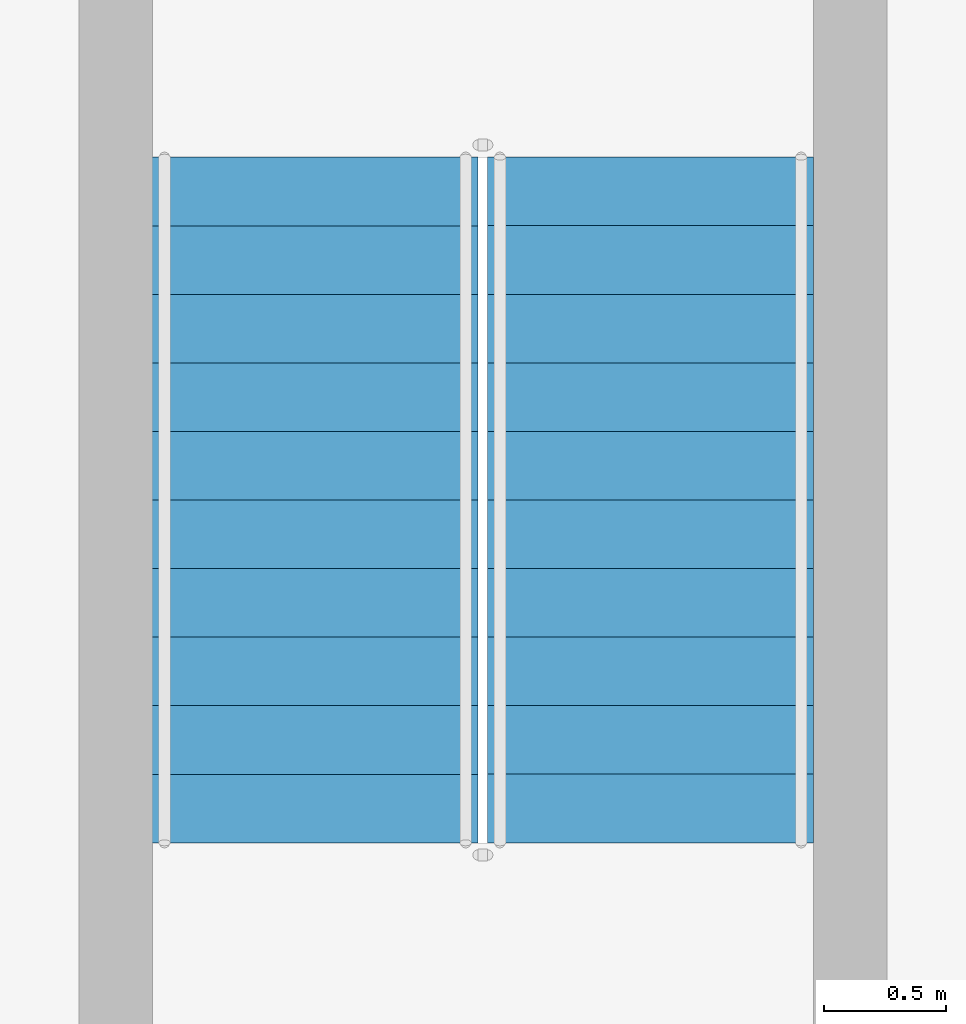
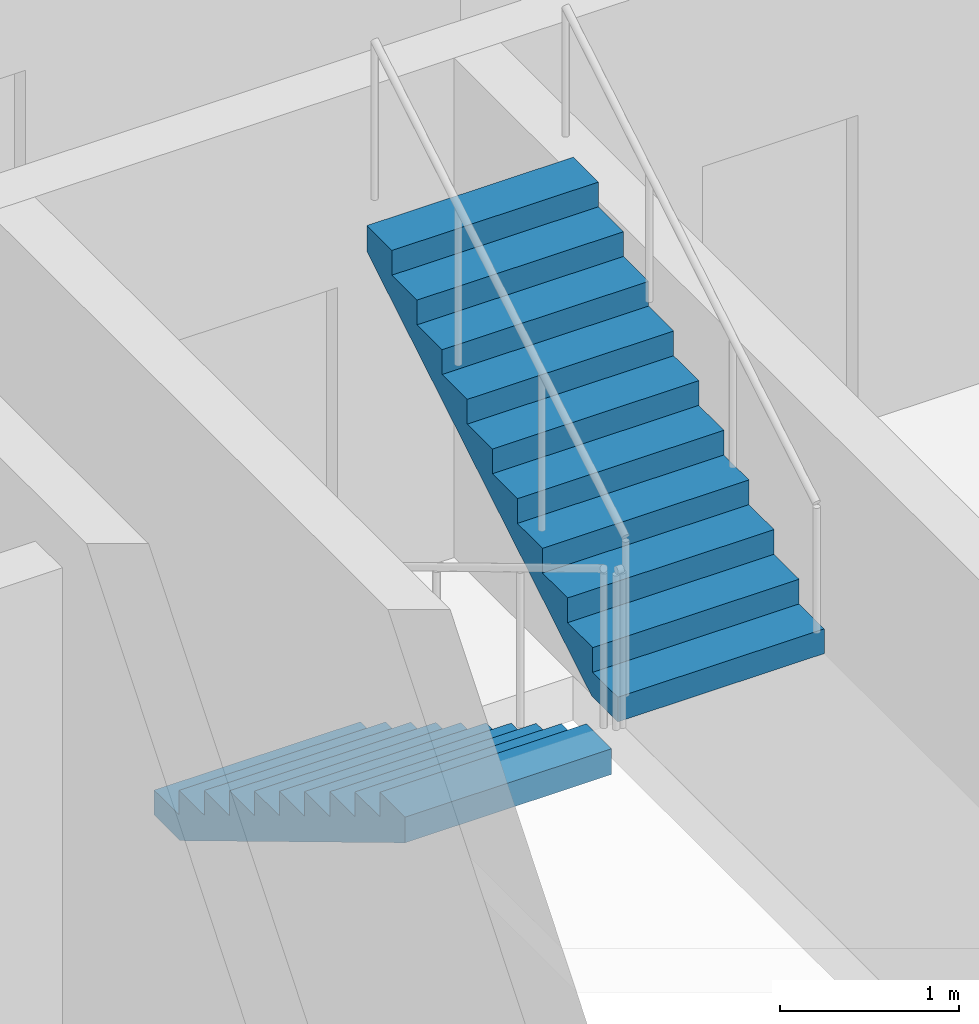
# One storey, part 34 of 51: 2 stair flights, 1 element without a shape of its own.
"""IFC4 building model written with IfcOpenShell, lengths in metres."""

import ifcopenshell
import ifcopenshell.guid

model = None  # the IFC model being written
_history = None  # IfcOwnerHistory: only IFC2X3 demands one
_inside = {}  # id of a spatial element -> (the spatial element, [elements in it])
_under = {}  # id of a project, library or spatial element -> (it, [spatial elements below it])
_declared = {}  # id of a project -> (the project, [libraries it declares])
_typed = {}  # id of a type object -> (the type object, [elements of that type])
_made_of = {}  # id of a material, layer set ... -> (it, [elements and type objects made of it])


def new_model(schema):
    """Start an empty IFC model of exactly this schema.

    Asked for "IFC4X3", IfcOpenShell would pick the latest addendum, in which some entities
    have other attributes; the version numbers below select the first issue.
    IFC2X3 requires an IfcOwnerHistory on every rooted entity: one is made here for all.
    """
    global model, _history
    if schema == "IFC4X3":
        model = ifcopenshell.file(schema_version=(4, 3, 0, 0))
    else:
        model = ifcopenshell.file(schema=schema)
    _inside.clear()
    _under.clear()
    _declared.clear()
    _typed.clear()
    _made_of.clear()
    _history = None
    if model.schema == "IFC2X3":
        org = make("IfcOrganization", Name="unknown")
        user = make(
            "IfcPersonAndOrganization",
            ThePerson=make("IfcPerson", FamilyName="unknown"),
            TheOrganization=org,
        )
        app = make(
            "IfcApplication",
            ApplicationDeveloper=org,
            Version="unknown",
            ApplicationFullName="unknown",
            ApplicationIdentifier="unknown",
        )
        _history = make(
            "IfcOwnerHistory",
            OwningUser=user,
            OwningApplication=app,
            ChangeAction="ADDED",
            CreationDate=0,
        )
    return model


def make(cls, **values):
    """One entity of the class cls with the attributes given. An attribute that is None is left unset."""
    return model.create_entity(
        cls, **{name: value for name, value in values.items() if value is not None}
    )


def rooted(cls, **values):
    """An entity with a GlobalId (a new one), such as an element, a storey or a relation."""
    return make(cls, GlobalId=ifcopenshell.guid.new(), OwnerHistory=_history, **values)


def si_unit(unit_type, name, prefix=None):
    """IfcSIUnit, for example si_unit("LENGTHUNIT", "METRE", prefix="MILLI")."""
    return make("IfcSIUnit", UnitType=unit_type, Prefix=prefix, Name=name)


def assignment(units):
    """IfcUnitAssignment: the units of a project."""
    return None if units is None else make("IfcUnitAssignment", Units=units)


def point(xyz):
    """IfcCartesianPoint."""
    return None if xyz is None else make("IfcCartesianPoint", Coordinates=xyz)


def direction(xyz):
    """IfcDirection."""
    return None if xyz is None else make("IfcDirection", DirectionRatios=xyz)


def frame(location, z_axis=None, x_axis=None):
    """IfcAxis2Placement3D, a coordinate frame: its origin and axes. An axis left out is left unset."""
    return make(
        "IfcAxis2Placement3D",
        Location=point(location),
        Axis=direction(z_axis),
        RefDirection=direction(x_axis),
    )


def origin():
    """The frame at (0, 0, 0) with its axes left unset."""
    return frame((0.0, 0.0, 0.0))


def place(relative_to, where):
    """IfcLocalPlacement: puts the frame where relative to a parent placement (None: the world)."""
    return make(
        "IfcLocalPlacement", PlacementRelTo=relative_to, RelativePlacement=where
    )


def context(
    kind, dimensions, precision=None, world=None, true_north=None, identifier=None
):
    """IfcGeometricRepresentationContext, for example the 3D "Model" context."""
    return make(
        "IfcGeometricRepresentationContext",
        ContextIdentifier=identifier,
        ContextType=kind,
        CoordinateSpaceDimension=dimensions,
        Precision=precision,
        WorldCoordinateSystem=world,
        TrueNorth=true_north,
    )


def subcontext(parent, identifier, kind, view, scale=None):
    """IfcGeometricRepresentationSubContext, for example "Body" below "Model"."""
    return make(
        "IfcGeometricRepresentationSubContext",
        ContextIdentifier=identifier,
        ContextType=kind,
        ParentContext=parent,
        TargetScale=scale,
        TargetView=view,
    )


def project(units=None, contexts=None):
    """IfcProject with its units and contexts."""
    return rooted(
        "IfcProject",
        Name="project",
        RepresentationContexts=contexts,
        UnitsInContext=assignment(units),
    )


def spatial(cls, under=None, at=None, **own):
    """A site, building, storey or space (cls), placed at a placement, below another one or the project."""
    s = rooted(cls, ObjectPlacement=at, **own)
    if under is not None:
        _under.setdefault(under.id(), (under, []))[1].append(s)
    return s


def point_list(points):
    """IfcCartesianPointList2D or 3D."""
    cls = (
        "IfcCartesianPointList2D" if len(points[0]) == 2 else "IfcCartesianPointList3D"
    )
    return make(cls, CoordList=points)


def triangles(points, corners, closed=None, point_numbers=None):
    """IfcTriangulatedFaceSet: each triangle names its three corners, points numbered from 1."""
    return make(
        "IfcTriangulatedFaceSet",
        Coordinates=point_list(points),
        Closed=closed,
        CoordIndex=corners,
        PnIndex=point_numbers,
    )


def shape(context_of_items, identifier, shape_type, items):
    """IfcShapeRepresentation: the items that make up one representation, for example the "Body"."""
    return make(
        "IfcShapeRepresentation",
        ContextOfItems=context_of_items,
        RepresentationIdentifier=identifier,
        RepresentationType=shape_type,
        Items=items,
    )


def source(mapping_origin, context_of_items, identifier, shape_type, items):
    """IfcRepresentationMap: a shape defined once, which mapped items show again and again."""
    return make(
        "IfcRepresentationMap",
        MappingOrigin=mapping_origin,
        MappedRepresentation=shape(context_of_items, identifier, shape_type, items),
    )


def transform(
    local_origin,
    x_axis=None,
    y_axis=None,
    z_axis=None,
    scale=None,
    scale2=None,
    scale3=None,
    uniform=True,
):
    """IfcCartesianTransformationOperator3D, or its non-uniform kind. x_axis, y_axis, z_axis: its Axis1, 2, 3."""
    if uniform:
        return make(
            "IfcCartesianTransformationOperator3D",
            Axis1=direction(x_axis),
            Axis2=direction(y_axis),
            LocalOrigin=point(local_origin),
            Scale=scale,
            Axis3=direction(z_axis),
        )
    return make(
        "IfcCartesianTransformationOperator3DnonUniform",
        Axis1=direction(x_axis),
        Axis2=direction(y_axis),
        LocalOrigin=point(local_origin),
        Scale=scale,
        Axis3=direction(z_axis),
        Scale2=scale2,
        Scale3=scale3,
    )


def mapped(mapping_source, mapping_target):
    """IfcMappedItem: shows the shape of a source again, moved by a transform."""
    return make(
        "IfcMappedItem", MappingSource=mapping_source, MappingTarget=mapping_target
    )


def material(Name=None, Category=None):
    """IfcMaterial."""
    return make("IfcMaterial", Name=Name, Category=Category)


def made_of(thing, what):
    """Note that an element or type object is made of a material, layer set ...; save() writes the relation."""
    if what is not None:
        _made_of.setdefault(what.id(), (what, []))[1].append(thing)
    return thing


def type_object(cls, material=None, **own):
    """A type object (cls), such as IfcWallType, which elements share."""
    return made_of(rooted(cls, **own), material)


def element(
    cls,
    number,
    at=None,
    inside=None,
    cuts=None,
    type_object=None,
    material=None,
    context=None,
    identifier="Body",
    shape_type=None,
    held_by="IfcProductDefinitionShape",
    body=None,
    shapes=None,
    **own,
):
    """One element of the class cls, such as IfcWall. Its Tag is "e" and its number.

    at: its placement. inside: the storey or other place that contains it. cuts: it is an
    opening in that element (IfcRelVoidsElement). A single representation is given by context,
    identifier, shape_type and body (its items); several are given by shapes. held_by: the class
    of the entity that holds the representations. save() writes the other relations.
    """
    e = rooted(cls, Tag="e%d" % number, ObjectPlacement=at, **own)
    if body is not None:
        shapes = [shape(context, identifier, shape_type, body)]
    if shapes is not None:
        e.Representation = make(held_by, Representations=shapes)
    if inside is not None:
        _inside.setdefault(inside.id(), (inside, []))[1].append(e)
    if cuts is not None:
        rooted(
            "IfcRelVoidsElement", RelatingBuildingElement=cuts, RelatedOpeningElement=e
        )
    if type_object is not None:
        _typed.setdefault(type_object.id(), (type_object, []))[1].append(e)
    return made_of(e, material)


def aggregate(whole, parts):
    """IfcRelAggregates: a whole, such as a stair, and the parts it consists of."""
    return rooted("IfcRelAggregates", RelatingObject=whole, RelatedObjects=parts)


def save(model, path):
    """Write the relations noted so far, then the file.

    IfcRelAggregates (storeys below a building ...), IfcRelContainedInSpatialStructure (elements
    in a storey), IfcRelDefinesByType, IfcRelAssociatesMaterial and IfcRelDeclares: one each for
    every whole, place, type object, material and project.
    """
    for whole, parts in _under.values():
        aggregate(whole, parts)
    for where, things in _inside.values():
        rooted(
            "IfcRelContainedInSpatialStructure",
            RelatedElements=things,
            RelatingStructure=where,
        )
    for kind, things in _typed.values():
        rooted("IfcRelDefinesByType", RelatedObjects=things, RelatingType=kind)
    for what, things in _made_of.values():
        rooted("IfcRelAssociatesMaterial", RelatedObjects=things, RelatingMaterial=what)
    for by, libraries in _declared.values():
        rooted("IfcRelDeclares", RelatingContext=by, RelatedDefinitions=libraries)
    model.write(path)


model = new_model("IFC4")

# Units and contexts
model_context = context("Model", 3, precision=1e-05, world=origin(), true_north=direction((0.0, 1.0)))
body_context = subcontext(model_context, "Body", "Model", "MODEL_VIEW")
ifc_project = project(units=[si_unit("LENGTHUNIT", "METRE"), si_unit("AREAUNIT", "SQUARE_METRE"), si_unit("VOLUMEUNIT", "CUBIC_METRE"), si_unit("PLANEANGLEUNIT", "RADIAN"), si_unit("MASSUNIT", "GRAM", prefix="KILO")], contexts=[model_context])

# Site, building, storey
site_placement = place(None, origin())
site = spatial("IfcSite", under=ifc_project, at=site_placement, CompositionType="ELEMENT")
building_placement = place(site_placement, origin())
building = spatial("IfcBuilding", under=site, at=building_placement, Name="Ogive Portal Towers", CompositionType="ELEMENT")
storey_placement = place(building_placement, frame((0.0, 0.0, 33.5)))
storey = spatial("IfcBuildingStorey", under=building, at=storey_placement, Name="L06", CompositionType="ELEMENT", Elevation=33.5)

# Stair, stair flights
ifc_material = material(Name="Concrete C40/50", Category="concrete")
stair_type = type_object("IfcStairType", Name="INT-STAIR", PredefinedType="HALF_TURN_STAIR", material=ifc_material)
stair_placement = place(storey_placement, origin())
stair = element("IfcStair", 1, at=stair_placement, inside=storey, type_object=stair_type, Name="L06 Exit Stair ST-A4", PredefinedType="HALF_TURN_STAIR")
stair_flight_type = type_object("IfcStairFlightType", Name="INT-FLIGHT", PredefinedType="STRAIGHT", material=ifc_material)
shared_shape = source(origin(), body_context, "Body", "Tessellation", [
    triangles([(0.0, -0.6650390625, 0.0), (0.0, -0.384765625, 0.0), (0.0, -0.197021484375, 0.0), (0.0, -0.0830078125, 0.0), (0.0, -0.024658203125, 0.0), (0.0, -0.003173828125, 0.0), (0.0, 0.0, 0.0), (0.0, 0.003173828125, 0.0), (0.0, 0.024658203125, 0.0), (0.0, 0.0830078125, 0.0), (0.0, 0.197021484375, 0.0), (0.0, 0.384765625, 0.0), (0.0, 0.6650390625, 0.0), (0.0, -0.6650390625, 0.168212890625), (0.0, -0.384765625, 0.168212890625), (0.0, -0.197021484375, 0.168212890625), (0.0, -0.0830078125, 0.168212890625), (0.0, -0.024658203125, 0.168212890625), (0.0, -0.003173828125, 0.168212890625), (0.0, 0.0, 0.168212890625), (0.0, 0.003173828125, 0.168212890625), (0.0, 0.024658203125, 0.168212890625), (0.0, 0.0830078125, 0.168212890625), (0.0, 0.197021484375, 0.168212890625), (0.0, 0.384765625, 0.168212890625), (0.0, 0.6650390625, 0.168212890625), (0.280029296875, -0.6650390625, 0.168212890625), (0.280029296875, -0.384765625, 0.168212890625), (0.280029296875, -0.197021484375, 0.168212890625), (0.280029296875, -0.0830078125, 0.168212890625), (0.280029296875, -0.024658203125, 0.168212890625), (0.280029296875, -0.003173828125, 0.168212890625), (0.280029296875, 0.0, 0.168212890625), (0.280029296875, 0.003173828125, 0.168212890625), (0.280029296875, 0.024658203125, 0.168212890625), (0.280029296875, 0.0830078125, 0.168212890625), (0.280029296875, 0.197021484375, 0.168212890625), (0.280029296875, 0.384765625, 0.168212890625), (0.280029296875, 0.6650390625, 0.168212890625), (0.280029296875, -0.6650390625, 0.33642578125), (0.280029296875, -0.384765625, 0.33642578125), (0.280029296875, -0.197021484375, 0.33642578125), (0.280029296875, -0.0830078125, 0.33642578125), (0.280029296875, -0.024658203125, 0.33642578125), (0.280029296875, -0.003173828125, 0.33642578125), (0.280029296875, 0.0, 0.33642578125), (0.280029296875, 0.003173828125, 0.33642578125), (0.280029296875, 0.024658203125, 0.33642578125), (0.280029296875, 0.0830078125, 0.33642578125), (0.280029296875, 0.197021484375, 0.33642578125), (0.280029296875, 0.384765625, 0.33642578125), (0.280029296875, 0.6650390625, 0.33642578125), (0.56005859375, -0.6650390625, 0.33642578125), (0.56005859375, -0.384765625, 0.33642578125), (0.56005859375, -0.197021484375, 0.33642578125), (0.56005859375, -0.0830078125, 0.33642578125), (0.56005859375, -0.024658203125, 0.33642578125), (0.56005859375, -0.003173828125, 0.33642578125), (0.56005859375, 0.0, 0.33642578125), (0.56005859375, 0.003173828125, 0.33642578125), (0.56005859375, 0.024658203125, 0.33642578125), (0.56005859375, 0.0830078125, 0.33642578125), (0.56005859375, 0.197021484375, 0.33642578125), (0.56005859375, 0.384765625, 0.33642578125), (0.56005859375, 0.6650390625, 0.33642578125), (0.56005859375, -0.6650390625, 0.504638671875), (0.56005859375, -0.384765625, 0.504638671875), (0.56005859375, -0.197021484375, 0.504638671875), (0.56005859375, -0.0830078125, 0.504638671875), (0.56005859375, -0.024658203125, 0.504638671875), (0.56005859375, -0.003173828125, 0.504638671875), (0.56005859375, 0.0, 0.504638671875), (0.56005859375, 0.003173828125, 0.504638671875), (0.56005859375, 0.024658203125, 0.504638671875), (0.56005859375, 0.0830078125, 0.504638671875), (0.56005859375, 0.197021484375, 0.504638671875), (0.56005859375, 0.384765625, 0.504638671875), (0.56005859375, 0.6650390625, 0.504638671875), (0.840087890625, -0.6650390625, 0.504638671875), (0.840087890625, -0.384765625, 0.504638671875), (0.840087890625, -0.197021484375, 0.504638671875), (0.840087890625, -0.0830078125, 0.504638671875), (0.840087890625, -0.024658203125, 0.504638671875), (0.840087890625, -0.003173828125, 0.504638671875), (0.840087890625, 0.0, 0.504638671875), (0.840087890625, 0.003173828125, 0.504638671875), (0.840087890625, 0.024658203125, 0.504638671875), (0.840087890625, 0.0830078125, 0.504638671875), (0.840087890625, 0.197021484375, 0.504638671875), (0.840087890625, 0.384765625, 0.504638671875), (0.840087890625, 0.6650390625, 0.504638671875), (0.840087890625, -0.6650390625, 0.672607421875), (0.840087890625, -0.384765625, 0.672607421875), (0.840087890625, -0.197021484375, 0.672607421875), (0.840087890625, -0.0830078125, 0.672607421875), (0.840087890625, -0.024658203125, 0.672607421875), (0.840087890625, -0.003173828125, 0.672607421875), (0.840087890625, 0.0, 0.672607421875), (0.840087890625, 0.003173828125, 0.672607421875), (0.840087890625, 0.024658203125, 0.672607421875), (0.840087890625, 0.0830078125, 0.672607421875), (0.840087890625, 0.197021484375, 0.672607421875), (0.840087890625, 0.384765625, 0.672607421875), (0.840087890625, 0.6650390625, 0.672607421875), (1.1201171875, -0.6650390625, 0.672607421875), (1.1201171875, -0.384765625, 0.672607421875), (1.1201171875, -0.197021484375, 0.672607421875), (1.1201171875, -0.0830078125, 0.672607421875), (1.1201171875, -0.024658203125, 0.672607421875), (1.1201171875, -0.003173828125, 0.672607421875), (1.1201171875, 0.0, 0.672607421875), (1.1201171875, 0.003173828125, 0.672607421875), (1.1201171875, 0.024658203125, 0.672607421875), (1.1201171875, 0.0830078125, 0.672607421875), (1.1201171875, 0.197021484375, 0.672607421875), (1.1201171875, 0.384765625, 0.672607421875), (1.1201171875, 0.6650390625, 0.672607421875), (1.1201171875, -0.6650390625, 0.8408203125), (1.1201171875, -0.384765625, 0.8408203125), (1.1201171875, -0.197021484375, 0.8408203125), (1.1201171875, -0.0830078125, 0.8408203125), (1.1201171875, -0.024658203125, 0.8408203125), (1.1201171875, -0.003173828125, 0.8408203125), (1.1201171875, 0.0, 0.8408203125), (1.1201171875, 0.003173828125, 0.8408203125), (1.1201171875, 0.024658203125, 0.8408203125), (1.1201171875, 0.0830078125, 0.8408203125), (1.1201171875, 0.197021484375, 0.8408203125), (1.1201171875, 0.384765625, 0.8408203125), (1.1201171875, 0.6650390625, 0.8408203125), (1.39990234375, -0.6650390625, 0.8408203125), (1.39990234375, -0.384765625, 0.8408203125), (1.39990234375, -0.197021484375, 0.8408203125), (1.39990234375, -0.0830078125, 0.8408203125), (1.39990234375, -0.024658203125, 0.8408203125), (1.39990234375, -0.003173828125, 0.8408203125), (1.39990234375, 0.0, 0.8408203125), (1.39990234375, 0.003173828125, 0.8408203125), (1.39990234375, 0.024658203125, 0.8408203125), (1.39990234375, 0.0830078125, 0.8408203125), (1.39990234375, 0.197021484375, 0.8408203125), (1.39990234375, 0.384765625, 0.8408203125), (1.39990234375, 0.6650390625, 0.8408203125), (1.39990234375, -0.6650390625, 1.009033203125), (1.39990234375, -0.384765625, 1.009033203125), (1.39990234375, -0.197021484375, 1.009033203125), (1.39990234375, -0.0830078125, 1.009033203125), (1.39990234375, -0.024658203125, 1.009033203125), (1.39990234375, -0.003173828125, 1.009033203125), (1.39990234375, 0.0, 1.009033203125), (1.39990234375, 0.003173828125, 1.009033203125), (1.39990234375, 0.024658203125, 1.009033203125), (1.39990234375, 0.0830078125, 1.009033203125), (1.39990234375, 0.197021484375, 1.009033203125), (1.39990234375, 0.384765625, 1.009033203125), (1.39990234375, 0.6650390625, 1.009033203125), (1.679931640625, -0.6650390625, 1.009033203125), (1.679931640625, -0.384765625, 1.009033203125), (1.679931640625, -0.197021484375, 1.009033203125), (1.679931640625, -0.0830078125, 1.009033203125), (1.679931640625, -0.024658203125, 1.009033203125), (1.679931640625, -0.003173828125, 1.009033203125), (1.679931640625, 0.0, 1.009033203125), (1.679931640625, 0.003173828125, 1.009033203125), (1.679931640625, 0.024658203125, 1.009033203125), (1.679931640625, 0.0830078125, 1.009033203125), (1.679931640625, 0.197021484375, 1.009033203125), (1.679931640625, 0.384765625, 1.009033203125), (1.679931640625, 0.6650390625, 1.009033203125), (1.679931640625, -0.6650390625, 1.17724609375), (1.679931640625, -0.384765625, 1.17724609375), (1.679931640625, -0.197021484375, 1.17724609375), (1.679931640625, -0.0830078125, 1.17724609375), (1.679931640625, -0.024658203125, 1.17724609375), (1.679931640625, -0.003173828125, 1.17724609375), (1.679931640625, 0.0, 1.17724609375), (1.679931640625, 0.003173828125, 1.17724609375), (1.679931640625, 0.024658203125, 1.17724609375), (1.679931640625, 0.0830078125, 1.17724609375), (1.679931640625, 0.197021484375, 1.17724609375), (1.679931640625, 0.384765625, 1.17724609375), (1.679931640625, 0.6650390625, 1.17724609375), (1.9599609375, -0.6650390625, 1.17724609375), (1.9599609375, -0.384765625, 1.17724609375), (1.9599609375, -0.197021484375, 1.17724609375), (1.9599609375, -0.0830078125, 1.17724609375), (1.9599609375, -0.024658203125, 1.17724609375), (1.9599609375, -0.003173828125, 1.17724609375), (1.9599609375, 0.0, 1.17724609375), (1.9599609375, 0.003173828125, 1.17724609375), (1.9599609375, 0.024658203125, 1.17724609375), (1.9599609375, 0.0830078125, 1.17724609375), (1.9599609375, 0.197021484375, 1.17724609375), (1.9599609375, 0.384765625, 1.17724609375), (1.9599609375, 0.6650390625, 1.17724609375), (1.9599609375, -0.6650390625, 1.345458984375), (1.9599609375, -0.384765625, 1.345458984375), (1.9599609375, -0.197021484375, 1.345458984375), (1.9599609375, -0.0830078125, 1.345458984375), (1.9599609375, -0.024658203125, 1.345458984375), (1.9599609375, -0.003173828125, 1.345458984375), (1.9599609375, 0.0, 1.345458984375), (1.9599609375, 0.003173828125, 1.345458984375), (1.9599609375, 0.024658203125, 1.345458984375), (1.9599609375, 0.0830078125, 1.345458984375), (1.9599609375, 0.197021484375, 1.345458984375), (1.9599609375, 0.384765625, 1.345458984375), (1.9599609375, 0.6650390625, 1.345458984375), (2.239990234375, -0.6650390625, 1.345458984375), (2.239990234375, -0.384765625, 1.345458984375), (2.239990234375, -0.197021484375, 1.345458984375), (2.239990234375, -0.0830078125, 1.345458984375), (2.239990234375, -0.024658203125, 1.345458984375), (2.239990234375, -0.003173828125, 1.345458984375), (2.239990234375, 0.0, 1.345458984375), (2.239990234375, 0.003173828125, 1.345458984375), (2.239990234375, 0.024658203125, 1.345458984375), (2.239990234375, 0.0830078125, 1.345458984375), (2.239990234375, 0.197021484375, 1.345458984375), (2.239990234375, 0.384765625, 1.345458984375), (2.239990234375, 0.6650390625, 1.345458984375), (2.239990234375, -0.6650390625, 1.513671875), (2.239990234375, -0.384765625, 1.513671875), (2.239990234375, -0.197021484375, 1.513671875), (2.239990234375, -0.0830078125, 1.513671875), (2.239990234375, -0.024658203125, 1.513671875), (2.239990234375, -0.003173828125, 1.513671875), (2.239990234375, 0.0, 1.513671875), (2.239990234375, 0.003173828125, 1.513671875), (2.239990234375, 0.024658203125, 1.513671875), (2.239990234375, 0.0830078125, 1.513671875), (2.239990234375, 0.197021484375, 1.513671875), (2.239990234375, 0.384765625, 1.513671875), (2.239990234375, 0.6650390625, 1.513671875), (2.52001953125, -0.6650390625, 1.513671875), (2.52001953125, -0.384765625, 1.513671875), (2.52001953125, -0.197021484375, 1.513671875), (2.52001953125, -0.0830078125, 1.513671875), (2.52001953125, -0.024658203125, 1.513671875), (2.52001953125, -0.003173828125, 1.513671875), (2.52001953125, 0.0, 1.513671875), (2.52001953125, 0.003173828125, 1.513671875), (2.52001953125, 0.024658203125, 1.513671875), (2.52001953125, 0.0830078125, 1.513671875), (2.52001953125, 0.197021484375, 1.513671875), (2.52001953125, 0.384765625, 1.513671875), (2.52001953125, 0.6650390625, 1.513671875), (2.52001953125, -0.6650390625, 1.681884765625), (2.52001953125, -0.384765625, 1.681884765625), (2.52001953125, -0.197021484375, 1.681884765625), (2.52001953125, -0.0830078125, 1.681884765625), (2.52001953125, -0.024658203125, 1.681884765625), (2.52001953125, -0.003173828125, 1.681884765625), (2.52001953125, 0.0, 1.681884765625), (2.52001953125, 0.003173828125, 1.681884765625), (2.52001953125, 0.024658203125, 1.681884765625), (2.52001953125, 0.0830078125, 1.681884765625), (2.52001953125, 0.197021484375, 1.681884765625), (2.52001953125, 0.384765625, 1.681884765625), (2.52001953125, 0.6650390625, 1.681884765625), (2.800048828125, -0.6650390625, 1.681884765625), (2.800048828125, -0.384765625, 1.681884765625), (2.800048828125, -0.197021484375, 1.681884765625), (2.800048828125, -0.0830078125, 1.681884765625), (2.800048828125, -0.024658203125, 1.681884765625), (2.800048828125, -0.003173828125, 1.681884765625), (2.800048828125, 0.0, 1.681884765625), (2.800048828125, 0.003173828125, 1.681884765625), (2.800048828125, 0.024658203125, 1.681884765625), (2.800048828125, 0.0830078125, 1.681884765625), (2.800048828125, 0.197021484375, 1.681884765625), (2.800048828125, 0.384765625, 1.681884765625), (2.800048828125, 0.6650390625, 1.681884765625), (2.800048828125, -0.6650390625, 1.5068359375), (2.800048828125, -0.384765625, 1.5068359375), (2.800048828125, -0.197021484375, 1.5068359375), (2.800048828125, -0.0830078125, 1.5068359375), (2.800048828125, -0.024658203125, 1.5068359375), (2.800048828125, -0.003173828125, 1.5068359375), (2.800048828125, 0.0, 1.5068359375), (2.800048828125, 0.003173828125, 1.5068359375), (2.800048828125, 0.024658203125, 1.5068359375), (2.800048828125, 0.0830078125, 1.5068359375), (2.800048828125, 0.197021484375, 1.5068359375), (2.800048828125, 0.384765625, 1.5068359375), (2.800048828125, 0.6650390625, 1.5068359375), (0.291015625, -0.6650390625, 0.0), (0.291015625, -0.384765625, 0.0), (0.291015625, -0.197021484375, 0.0), (0.291015625, -0.0830078125, 0.0), (0.291015625, -0.024658203125, 0.0), (0.291015625, -0.003173828125, 0.0), (0.291015625, 0.0, 0.0), (0.291015625, 0.003173828125, 0.0), (0.291015625, 0.024658203125, 0.0), (0.291015625, 0.0830078125, 0.0), (0.291015625, 0.197021484375, 0.0), (0.291015625, 0.384765625, 0.0), (0.291015625, 0.6650390625, 0.0)], [[1, 14, 15], [1, 15, 2], [2, 15, 16], [2, 16, 3], [3, 16, 17], [3, 17, 4], [4, 17, 18], [4, 18, 5], [5, 18, 19], [5, 19, 6], [6, 19, 20], [6, 20, 7], [7, 20, 21], [7, 21, 8], [8, 21, 22], [8, 22, 9], [9, 22, 23], [9, 23, 10], [10, 23, 24], [10, 24, 11], [11, 24, 25], [11, 25, 12], [12, 25, 26], [12, 26, 13], [14, 27, 28], [14, 28, 15], [15, 28, 29], [15, 29, 16], [16, 29, 30], [16, 30, 17], [17, 30, 31], [17, 31, 18], [18, 31, 32], [18, 32, 19], [19, 32, 33], [19, 33, 20], [20, 33, 34], [20, 34, 21], [21, 34, 35], [21, 35, 22], [22, 35, 36], [22, 36, 23], [23, 36, 37], [23, 37, 24], [24, 37, 38], [24, 38, 25], [25, 38, 39], [25, 39, 26], [27, 40, 41], [27, 41, 28], [28, 41, 42], [28, 42, 29], [29, 42, 43], [29, 43, 30], [30, 43, 44], [30, 44, 31], [31, 44, 45], [31, 45, 32], [32, 45, 46], [32, 46, 33], [33, 46, 47], [33, 47, 34], [34, 47, 48], [34, 48, 35], [35, 48, 49], [35, 49, 36], [36, 49, 50], [36, 50, 37], [37, 50, 51], [37, 51, 38], [38, 51, 52], [38, 52, 39], [40, 53, 54], [40, 54, 41], [41, 54, 55], [41, 55, 42], [42, 55, 56], [42, 56, 43], [43, 56, 57], [43, 57, 44], [44, 57, 58], [44, 58, 45], [45, 58, 59], [45, 59, 46], [46, 59, 60], [46, 60, 47], [47, 60, 61], [47, 61, 48], [48, 61, 62], [48, 62, 49], [49, 62, 63], [49, 63, 50], [50, 63, 64], [50, 64, 51], [51, 64, 65], [51, 65, 52], [53, 66, 67], [53, 67, 54], [54, 67, 68], [54, 68, 55], [55, 68, 69], [55, 69, 56], [56, 69, 70], [56, 70, 57], [57, 70, 71], [57, 71, 58], [58, 71, 72], [58, 72, 59], [59, 72, 73], [59, 73, 60], [60, 73, 74], [60, 74, 61], [61, 74, 75], [61, 75, 62], [62, 75, 76], [62, 76, 63], [63, 76, 77], [63, 77, 64], [64, 77, 78], [64, 78, 65], [66, 79, 80], [66, 80, 67], [67, 80, 81], [67, 81, 68], [68, 81, 82], [68, 82, 69], [69, 82, 83], [69, 83, 70], [70, 83, 84], [70, 84, 71], [71, 84, 85], [71, 85, 72], [72, 85, 86], [72, 86, 73], [73, 86, 87], [73, 87, 74], [74, 87, 88], [74, 88, 75], [75, 88, 89], [75, 89, 76], [76, 89, 90], [76, 90, 77], [77, 90, 91], [77, 91, 78], [79, 92, 93], [79, 93, 80], [80, 93, 94], [80, 94, 81], [81, 94, 95], [81, 95, 82], [82, 95, 96], [82, 96, 83], [83, 96, 97], [83, 97, 84], [84, 97, 98], [84, 98, 85], [85, 98, 99], [85, 99, 86], [86, 99, 100], [86, 100, 87], [87, 100, 101], [87, 101, 88], [88, 101, 102], [88, 102, 89], [89, 102, 103], [89, 103, 90], [90, 103, 104], [90, 104, 91], [92, 105, 106], [92, 106, 93], [93, 106, 107], [93, 107, 94], [94, 107, 108], [94, 108, 95], [95, 108, 109], [95, 109, 96], [96, 109, 110], [96, 110, 97], [97, 110, 111], [97, 111, 98], [98, 111, 112], [98, 112, 99], [99, 112, 113], [99, 113, 100], [100, 113, 114], [100, 114, 101], [101, 114, 115], [101, 115, 102], [102, 115, 116], [102, 116, 103], [103, 116, 117], [103, 117, 104], [105, 118, 119], [105, 119, 106], [106, 119, 120], [106, 120, 107], [107, 120, 121], [107, 121, 108], [108, 121, 122], [108, 122, 109], [109, 122, 123], [109, 123, 110], [110, 123, 124], [110, 124, 111], [111, 124, 125], [111, 125, 112], [112, 125, 126], [112, 126, 113], [113, 126, 127], [113, 127, 114], [114, 127, 128], [114, 128, 115], [115, 128, 129], [115, 129, 116], [116, 129, 130], [116, 130, 117], [118, 131, 132], [118, 132, 119], [119, 132, 133], [119, 133, 120], [120, 133, 134], [120, 134, 121], [121, 134, 135], [121, 135, 122], [122, 135, 136], [122, 136, 123], [123, 136, 137], [123, 137, 124], [124, 137, 138], [124, 138, 125], [125, 138, 139], [125, 139, 126], [126, 139, 140], [126, 140, 127], [127, 140, 141], [127, 141, 128], [128, 141, 142], [128, 142, 129], [129, 142, 143], [129, 143, 130], [131, 144, 145], [131, 145, 132], [132, 145, 146], [132, 146, 133], [133, 146, 147], [133, 147, 134], [134, 147, 148], [134, 148, 135], [135, 148, 149], [135, 149, 136], [136, 149, 150], [136, 150, 137], [137, 150, 151], [137, 151, 138], [138, 151, 152], [138, 152, 139], [139, 152, 153], [139, 153, 140], [140, 153, 154], [140, 154, 141], [141, 154, 155], [141, 155, 142], [142, 155, 156], [142, 156, 143], [144, 157, 158], [144, 158, 145], [145, 158, 159], [145, 159, 146], [146, 159, 160], [146, 160, 147], [147, 160, 161], [147, 161, 148], [148, 161, 162], [148, 162, 149], [149, 162, 163], [149, 163, 150], [150, 163, 164], [150, 164, 151], [151, 164, 165], [151, 165, 152], [152, 165, 166], [152, 166, 153], [153, 166, 167], [153, 167, 154], [154, 167, 168], [154, 168, 155], [155, 168, 169], [155, 169, 156], [157, 170, 171], [157, 171, 158], [158, 171, 172], [158, 172, 159], [159, 172, 173], [159, 173, 160], [160, 173, 174], [160, 174, 161], [161, 174, 175], [161, 175, 162], [162, 175, 176], [162, 176, 163], [163, 176, 177], [163, 177, 164], [164, 177, 178], [164, 178, 165], [165, 178, 179], [165, 179, 166], [166, 179, 180], [166, 180, 167], [167, 180, 181], [167, 181, 168], [168, 181, 182], [168, 182, 169], [170, 183, 184], [170, 184, 171], [171, 184, 185], [171, 185, 172], [172, 185, 186], [172, 186, 173], [173, 186, 187], [173, 187, 174], [174, 187, 188], [174, 188, 175], [175, 188, 189], [175, 189, 176], [176, 189, 190], [176, 190, 177], [177, 190, 191], [177, 191, 178], [178, 191, 192], [178, 192, 179], [179, 192, 193], [179, 193, 180], [180, 193, 194], [180, 194, 181], [181, 194, 195], [181, 195, 182], [183, 196, 197], [183, 197, 184], [184, 197, 198], [184, 198, 185], [185, 198, 199], [185, 199, 186], [186, 199, 200], [186, 200, 187], [187, 200, 201], [187, 201, 188], [188, 201, 202], [188, 202, 189], [189, 202, 203], [189, 203, 190], [190, 203, 204], [190, 204, 191], [191, 204, 205], [191, 205, 192], [192, 205, 206], [192, 206, 193], [193, 206, 207], [193, 207, 194], [194, 207, 208], [194, 208, 195], [196, 209, 210], [196, 210, 197], [197, 210, 211], [197, 211, 198], [198, 211, 212], [198, 212, 199], [199, 212, 213], [199, 213, 200], [200, 213, 214], [200, 214, 201], [201, 214, 215], [201, 215, 202], [202, 215, 216], [202, 216, 203], [203, 216, 217], [203, 217, 204], [204, 217, 218], [204, 218, 205], [205, 218, 219], [205, 219, 206], [206, 219, 220], [206, 220, 207], [207, 220, 221], [207, 221, 208], [209, 222, 223], [209, 223, 210], [210, 223, 224], [210, 224, 211], [211, 224, 225], [211, 225, 212], [212, 225, 226], [212, 226, 213], [213, 226, 227], [213, 227, 214], [214, 227, 228], [214, 228, 215], [215, 228, 229], [215, 229, 216], [216, 229, 230], [216, 230, 217], [217, 230, 231], [217, 231, 218], [218, 231, 232], [218, 232, 219], [219, 232, 233], [219, 233, 220], [220, 233, 234], [220, 234, 221], [222, 235, 236], [222, 236, 223], [223, 236, 237], [223, 237, 224], [224, 237, 238], [224, 238, 225], [225, 238, 239], [225, 239, 226], [226, 239, 240], [226, 240, 227], [227, 240, 241], [227, 241, 228], [228, 241, 242], [228, 242, 229], [229, 242, 243], [229, 243, 230], [230, 243, 244], [230, 244, 231], [231, 244, 245], [231, 245, 232], [232, 245, 246], [232, 246, 233], [233, 246, 247], [233, 247, 234], [235, 248, 249], [235, 249, 236], [236, 249, 250], [236, 250, 237], [237, 250, 251], [237, 251, 238], [238, 251, 252], [238, 252, 239], [239, 252, 253], [239, 253, 240], [240, 253, 254], [240, 254, 241], [241, 254, 255], [241, 255, 242], [242, 255, 256], [242, 256, 243], [243, 256, 257], [243, 257, 244], [244, 257, 258], [244, 258, 245], [245, 258, 259], [245, 259, 246], [246, 259, 260], [246, 260, 247], [248, 261, 262], [248, 262, 249], [249, 262, 263], [249, 263, 250], [250, 263, 264], [250, 264, 251], [251, 264, 265], [251, 265, 252], [252, 265, 266], [252, 266, 253], [253, 266, 267], [253, 267, 254], [254, 267, 268], [254, 268, 255], [255, 268, 269], [255, 269, 256], [256, 269, 270], [256, 270, 257], [257, 270, 271], [257, 271, 258], [258, 271, 272], [258, 272, 259], [259, 272, 273], [259, 273, 260], [261, 274, 275], [261, 275, 262], [262, 275, 276], [262, 276, 263], [263, 276, 277], [263, 277, 264], [264, 277, 278], [264, 278, 265], [265, 278, 279], [265, 279, 266], [266, 279, 280], [266, 280, 267], [267, 280, 281], [267, 281, 268], [268, 281, 282], [268, 282, 269], [269, 282, 283], [269, 283, 270], [270, 283, 284], [270, 284, 271], [271, 284, 285], [271, 285, 272], [272, 285, 286], [272, 286, 273], [274, 287, 288], [274, 288, 275], [275, 288, 289], [275, 289, 276], [276, 289, 290], [276, 290, 277], [277, 290, 291], [277, 291, 278], [278, 291, 292], [278, 292, 279], [279, 292, 293], [279, 293, 280], [280, 293, 294], [280, 294, 281], [281, 294, 295], [281, 295, 282], [282, 295, 296], [282, 296, 283], [283, 296, 297], [283, 297, 284], [284, 297, 298], [284, 298, 285], [285, 298, 299], [285, 299, 286], [287, 1, 2], [287, 2, 288], [288, 2, 3], [288, 3, 289], [289, 3, 4], [289, 4, 290], [290, 4, 5], [290, 5, 291], [291, 5, 6], [291, 6, 292], [292, 6, 7], [292, 7, 293], [293, 7, 8], [293, 8, 294], [294, 8, 9], [294, 9, 295], [295, 9, 10], [295, 10, 296], [296, 10, 11], [296, 11, 297], [297, 11, 12], [297, 12, 298], [298, 12, 13], [298, 13, 299], [1, 287, 274], [13, 286, 299], [274, 261, 248], [286, 260, 273], [274, 248, 235], [286, 247, 260], [274, 235, 222], [286, 234, 247], [274, 222, 209], [286, 221, 234], [209, 196, 183], [221, 195, 208], [274, 209, 183], [286, 195, 221], [183, 170, 157], [195, 169, 182], [274, 183, 157], [286, 169, 195], [157, 144, 131], [169, 143, 156], [274, 157, 131], [286, 143, 169], [131, 118, 105], [143, 117, 130], [274, 131, 105], [286, 117, 143], [1, 274, 105], [13, 117, 286], [105, 92, 79], [117, 91, 104], [79, 66, 53], [91, 65, 78], [105, 79, 53], [117, 65, 91], [53, 40, 27], [65, 39, 52], [105, 53, 27], [117, 39, 65], [1, 105, 27], [13, 39, 117], [27, 14, 1], [39, 13, 26]], closed=True),
])
stair_flight_1_placement = place(storey_placement, frame((87.6650390625, 29.169921875, 0.0), z_axis=(0.0, 0.0, 1.0), x_axis=(0.0, -1.0, 0.0)))
stair_flight_1 = element("IfcStairFlight", 2, at=stair_flight_1_placement, type_object=stair_flight_type, Name="ST-A4 flight 1", NumberOfRisers=11, NumberOfTreads=10, PredefinedType="STRAIGHT", RiserHeight=0.168181818, TreadLength=0.28, context=body_context, shape_type="MappedRepresentation", body=[
    mapped(shared_shape, transform((0.0, 0.0, 0.0), scale=1.0)),
])
stair_flight_2_placement = place(storey_placement, frame((89.034912109375, 26.3701171875, 1.85009765625), z_axis=(0.0, 0.0, 1.0), x_axis=(0.0, 1.0, 0.0)))
stair_flight_2 = element("IfcStairFlight", 3, at=stair_flight_2_placement, type_object=stair_flight_type, Name="ST-A4 flight 2", NumberOfRisers=11, NumberOfTreads=10, PredefinedType="STRAIGHT", RiserHeight=0.168181818, TreadLength=0.28, context=body_context, shape_type="MappedRepresentation", body=[
    mapped(shared_shape, transform((0.0, 0.0, 0.0), scale=1.0)),
])
aggregate(stair, [stair_flight_1, stair_flight_2])

save(model, "model.ifc")
